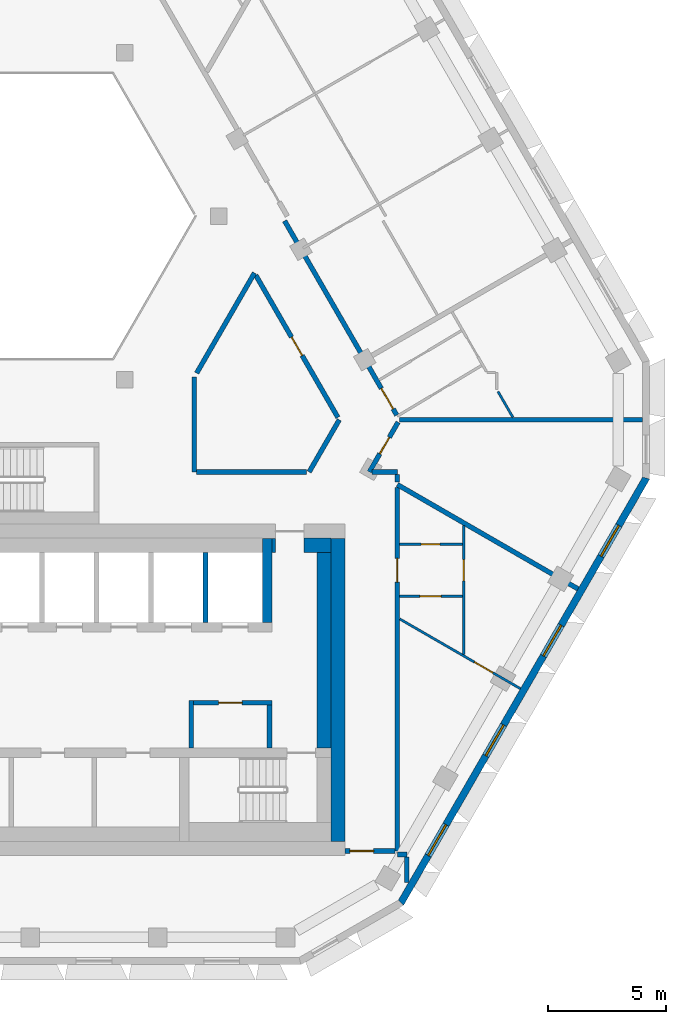
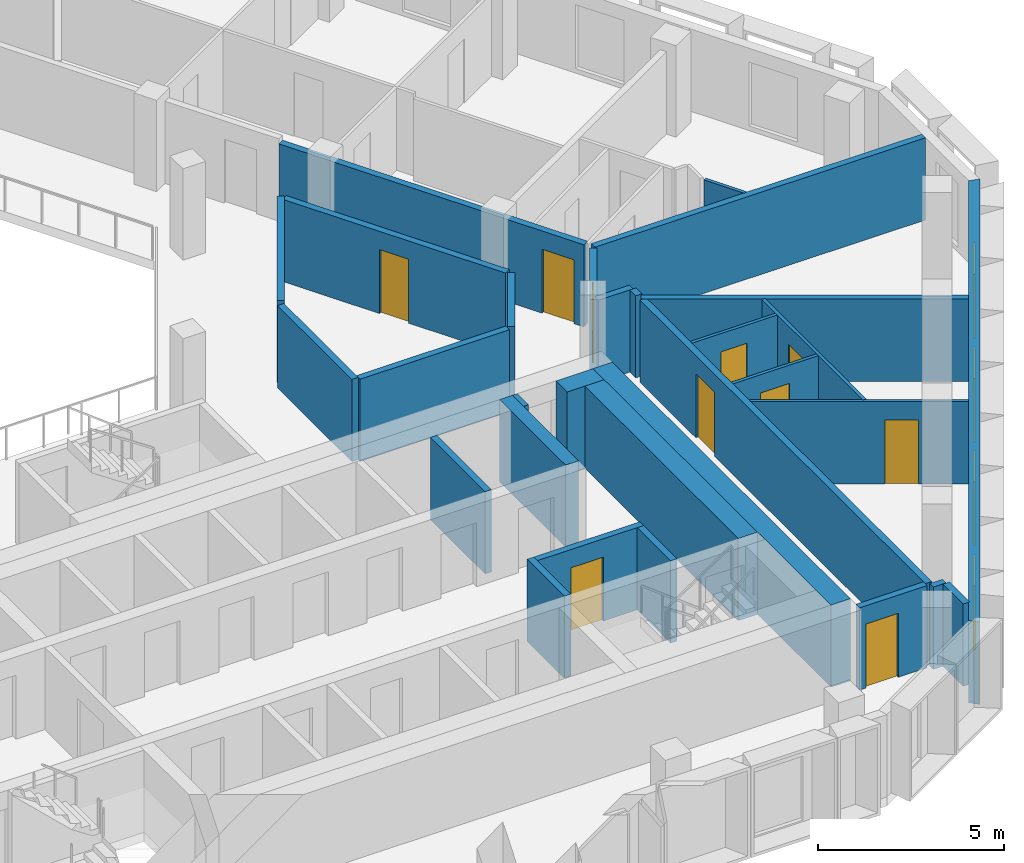
# One storey, part 5 of 15: 30 walls, 10 doors, 4 windows, 14 openings.
"""IFC4 building model written with IfcOpenShell, lengths in metres."""

from ifc_helpers import new_model, si_unit, direction, frame, frame_2d, origin, place, context, subcontext, project, spatial, polyline, rectangle, outline, extrude, material, layer, layer_set, type_object, element, fill, save


model = new_model("IFC4")

# Units and contexts
model_context = context("Model", 3, precision=1e-05, world=origin(), true_north=direction((0.0, 1.0)))
body_context = subcontext(model_context, "Body", "Model", "MODEL_VIEW")
ifc_project = project(units=[si_unit("LENGTHUNIT", "METRE"), si_unit("AREAUNIT", "SQUARE_METRE"), si_unit("VOLUMEUNIT", "CUBIC_METRE"), si_unit("PLANEANGLEUNIT", "RADIAN"), si_unit("MASSUNIT", "GRAM", prefix="KILO")], contexts=[model_context])

# Site, building, storey
site_placement = place(None, origin())
site = spatial("IfcSite", under=ifc_project, at=site_placement, CompositionType="ELEMENT")
building_placement = place(site_placement, origin())
building = spatial("IfcBuilding", under=site, at=building_placement, Name="Beryl Residences", CompositionType="ELEMENT")
storey_placement = place(building_placement, frame((0.0, 0.0, 187.199951171875)))
storey = spatial("IfcBuildingStorey", under=building, at=storey_placement, Name="L57", CompositionType="ELEMENT", Elevation=187.199951171875)

# Wall, openings, windows
ifc_material_1 = material(Name="Composite metal panel with mineral wool insulation")
ifc_layer_1 = layer(ifc_material_1, 0.300048828125)
ifc_layer_set_1 = layer_set([ifc_layer_1], Name="ES1 pale metal composite panel wall 300 mm")
wall_type_1 = type_object("IfcWallType", Name="ES1 pale metal composite panel wall 300 mm", PredefinedType="SOLIDWALL", material=ifc_layer_set_1)
wall_1_placement = place(storey_placement, frame((15.631103515625, -21.02490234375, 0.0), z_axis=(0.0, 0.0, 1.0), x_axis=(0.500018670445, 0.86601462413, 0.0)))
wall_1 = element("IfcWall", 1, at=wall_1_placement, inside=storey, type_object=wall_type_1, Name="ES1 external wall L57 SE", PredefinedType="SOLIDWALL", context=body_context, shape_type="SweptSolid", body=[
    extrude(outline(polyline([(0.0, -0.14990234375), (20.784912109375, -0.14990234375), (20.70458984375, 0.14990234375), (0.080322265625, 0.14990234375), (0.0, -0.14990234375)])), origin(), (0.0, 0.0, 1.0), 2.699951171875),
])
opening_1_placement = place(wall_1_placement, frame((2.345947265625, 0.0, 0.14990234375)))
opening_1 = element("IfcOpeningElement", 2, at=opening_1_placement, cuts=wall_1, Name="Opening W1", PredefinedType="OPENING", context=body_context, shape_type="SweptSolid", body=[
    extrude(rectangle(XDim=1.5, YDim=2.10009765625, at=frame_2d((0.75, 1.050048828125))), frame((0.0, 0.159912109375, 0.0), z_axis=(0.0, -1.0, 0.0), x_axis=(1.0, 0.0, 0.0)), (0.0, 0.0, 1.0), 0.320068359375),
])
opening_2_placement = place(wall_1_placement, frame((7.2099609375, 0.0, 0.14990234375)))
opening_2 = element("IfcOpeningElement", 3, at=opening_2_placement, cuts=wall_1, Name="Opening W1", PredefinedType="OPENING", context=body_context, shape_type="SweptSolid", body=[
    extrude(rectangle(XDim=1.5, YDim=2.10009765625, at=frame_2d((0.75, 1.050048828125))), frame((0.0, 0.159912109375, 0.0), z_axis=(0.0, -1.0, 0.0), x_axis=(1.0, 0.0, 0.0)), (0.0, 0.0, 1.0), 0.320068359375),
])
opening_3_placement = place(wall_1_placement, frame((12.072998046875, 0.0, 0.14990234375)))
opening_3 = element("IfcOpeningElement", 4, at=opening_3_placement, cuts=wall_1, Name="Opening W1", PredefinedType="OPENING", context=body_context, shape_type="SweptSolid", body=[
    extrude(rectangle(XDim=1.5, YDim=2.10009765625, at=frame_2d((0.75, 1.050048828125))), frame((0.0, 0.159912109375, 0.0), z_axis=(0.0, -1.0, 0.0), x_axis=(1.0, 0.0, 0.0)), (0.0, 0.0, 1.0), 0.320068359375),
])
opening_4_placement = place(wall_1_placement, frame((16.93798828125, 0.0, 0.14990234375)))
opening_4 = element("IfcOpeningElement", 5, at=opening_4_placement, cuts=wall_1, Name="Opening W1", PredefinedType="OPENING", context=body_context, shape_type="SweptSolid", body=[
    extrude(rectangle(XDim=1.5, YDim=2.10009765625, at=frame_2d((0.75, 1.050048828125))), frame((0.0, 0.159912109375, 0.0), z_axis=(0.0, -1.0, 0.0), x_axis=(1.0, 0.0, 0.0)), (0.0, 0.0, 1.0), 0.320068359375),
])
ifc_material_2 = material(Name="Aluminium and clear glass", Category="aluminium")
window_type = type_object("IfcWindowType", Name="W1 cell window 1500 x 2100 mm", PartitioningType="SINGLE_PANEL", PredefinedType="WINDOW", material=ifc_material_2)
window_1_placement = place(opening_1_placement, origin())
window_1 = element("IfcWindow", 6, at=window_1_placement, inside=storey, type_object=window_type, Name="W1 window L57 SE 2", OverallHeight=2.10009765625, OverallWidth=1.5, PartitioningType="SINGLE_PANEL", PredefinedType="WINDOW", context=body_context, shape_type="SweptSolid", body=[
    extrude(rectangle(XDim=1.5, YDim=2.10009765625, at=frame_2d((0.75, 1.050048828125))), frame((0.0, 0.030029296875, 0.0), z_axis=(0.0, -1.0, 0.0), x_axis=(1.0, 0.0, 0.0)), (0.0, 0.0, 1.0), 0.06005859375),
])
fill(opening_1, window_1)
window_2_placement = place(opening_2_placement, origin())
window_2 = element("IfcWindow", 7, at=window_2_placement, inside=storey, type_object=window_type, Name="W1 window L57 SE 4", OverallHeight=2.10009765625, OverallWidth=1.5, PartitioningType="SINGLE_PANEL", PredefinedType="WINDOW", context=body_context, shape_type="SweptSolid", body=[
    extrude(rectangle(XDim=1.5, YDim=2.10009765625, at=frame_2d((0.75, 1.050048828125))), frame((0.0, 0.030029296875, 0.0), z_axis=(0.0, -1.0, 0.0), x_axis=(1.0, 0.0, 0.0)), (0.0, 0.0, 1.0), 0.06005859375),
])
fill(opening_2, window_2)
window_3_placement = place(opening_3_placement, origin())
window_3 = element("IfcWindow", 8, at=window_3_placement, inside=storey, type_object=window_type, Name="W1 window L57 SE 6", OverallHeight=2.10009765625, OverallWidth=1.5, PartitioningType="SINGLE_PANEL", PredefinedType="WINDOW", context=body_context, shape_type="SweptSolid", body=[
    extrude(rectangle(XDim=1.5, YDim=2.10009765625, at=frame_2d((0.75, 1.050048828125))), frame((0.0, 0.030029296875, 0.0), z_axis=(0.0, -1.0, 0.0), x_axis=(1.0, 0.0, 0.0)), (0.0, 0.0, 1.0), 0.06005859375),
])
fill(opening_3, window_3)
window_4_placement = place(opening_4_placement, origin())
window_4 = element("IfcWindow", 9, at=window_4_placement, inside=storey, type_object=window_type, Name="W1 window L57 SE 8", OverallHeight=2.10009765625, OverallWidth=1.5, PartitioningType="SINGLE_PANEL", PredefinedType="WINDOW", context=body_context, shape_type="SweptSolid", body=[
    extrude(rectangle(XDim=1.5, YDim=2.10009765625, at=frame_2d((0.75, 1.050048828125))), frame((0.0, 0.030029296875, 0.0), z_axis=(0.0, -1.0, 0.0), x_axis=(1.0, 0.0, 0.0)), (0.0, 0.0, 1.0), 0.06005859375),
])
fill(opening_4, window_4)

# Wall
ifc_material_3 = material(Name="Gypsum board partition on steel studs", Category="steel")
ifc_layer_2 = layer(ifc_material_3, 0.10009765625)
ifc_layer_set_2 = layer_set([ifc_layer_2], Name="PT1 partition 100 mm gypsum board on steel studs")
wall_type_2 = type_object("IfcWallType", Name="PT1 partition 100 mm gypsum board on steel studs", PredefinedType="PARTITIONING", material=ifc_layer_set_2)
wall_2_placement = place(storey_placement, frame((19.75, 0.592041015625, 0.0), z_axis=(0.0, 0.0, 1.0), x_axis=(0.499974077718, -0.866040369504, 0.0)))
element("IfcWall", 10, at=wall_2_placement, inside=storey, type_object=wall_type_2, Name="Wall PT1 L57 005", PredefinedType="PARTITIONING", context=body_context, shape_type="SweptSolid", body=[
    extrude(rectangle(XDim=1.259765625, YDim=0.10009765625, at=frame_2d((0.6298828125, 0.0))), origin(), (0.0, 0.0, 1.0), 2.699951171875),
])

# Wall, opening, door
wall_3_placement = place(storey_placement, frame((15.60009765625, -9.008056640625, 0.0), z_axis=(0.0, 0.0, 1.0), x_axis=(0.866013576751, -0.500020484464, 0.0)))
wall_3 = element("IfcWall", 11, at=wall_3_placement, inside=storey, type_object=wall_type_2, Name="Wall PT1 L57 014", PredefinedType="PARTITIONING", context=body_context, shape_type="SweptSolid", body=[
    extrude(rectangle(XDim=5.885498046875, YDim=0.10009765625, at=frame_2d((2.94287109375, 0.0))), origin(), (0.0, 0.0, 1.0), 2.699951171875),
])
opening_5_placement = place(wall_3_placement, frame((3.639892578125, 0.0, 0.0)))
opening_5 = element("IfcOpeningElement", 12, at=opening_5_placement, cuts=wall_3, Name="Opening D1736", PredefinedType="OPENING", context=body_context, shape_type="SweptSolid", body=[
    extrude(rectangle(XDim=0.89990234375, YDim=2.10009765625, at=frame_2d((0.449951171875, 1.050048828125))), frame((0.0, 0.06005859375, 0.0), z_axis=(0.0, -1.0, 0.0), x_axis=(1.0, 0.0, 0.0)), (0.0, 0.0, 1.0), 0.1201171875),
])
ifc_material_4 = material(Name="Timber door leaf", Category="wood")
door_type_1 = type_object("IfcDoorType", Name="D2 room door 900 x 2100 mm", OperationType="SINGLE_SWING_LEFT", PredefinedType="DOOR", material=ifc_material_4)
door_1_placement = place(opening_5_placement, origin())
door_1 = element("IfcDoor", 13, at=door_1_placement, inside=storey, type_object=door_type_1, Name="Door D1736 L57 001", OperationType="SINGLE_SWING_RIGHT", OverallHeight=2.10009765625, OverallWidth=0.89990234375, PredefinedType="DOOR", context=body_context, shape_type="SweptSolid", body=[
    extrude(rectangle(XDim=0.89990234375, YDim=2.10009765625, at=frame_2d((0.449951171875, 1.050048828125))), frame((0.0, 0.02490234375, 0.0), z_axis=(0.0, -1.0, 0.0), x_axis=(1.0, 0.0, 0.0)), (0.0, 0.0, 1.0), 0.050048828125),
])
fill(opening_5, door_1)

wall_4_placement = place(storey_placement, frame((15.60009765625, -5.85107421875, 0.0), z_axis=(0.0, 0.0, 1.0), x_axis=(1.0, 0.0, 0.0)))
wall_4 = element("IfcWall", 14, at=wall_4_placement, inside=storey, type_object=wall_type_2, Name="Wall PT1 L57 017", PredefinedType="PARTITIONING", context=body_context, shape_type="SweptSolid", body=[
    extrude(rectangle(XDim=2.64990234375, YDim=0.10009765625, at=frame_2d((1.324951171875, 0.0))), origin(), (0.0, 0.0, 1.0), 2.699951171875),
])
opening_6_placement = place(wall_4_placement, frame((0.89990234375, 0.0, 0.0)))
opening_6 = element("IfcOpeningElement", 15, at=opening_6_placement, cuts=wall_4, Name="Opening D1733", PredefinedType="OPENING", context=body_context, shape_type="SweptSolid", body=[
    extrude(rectangle(XDim=0.800048828125, YDim=2.10009765625, at=frame_2d((0.39990234375, 1.050048828125))), frame((0.0, 0.06005859375, 0.0), z_axis=(0.0, -1.0, 0.0), x_axis=(1.0, 0.0, 0.0)), (0.0, 0.0, 1.0), 0.1201171875),
])
ifc_material_5 = material(Name="Timber door leaf", Category="wood")
door_type_2 = type_object("IfcDoorType", Name="D3 bathroom door 800 x 2100 mm", OperationType="SINGLE_SWING_LEFT", PredefinedType="DOOR", material=ifc_material_5)
door_2_placement = place(opening_6_placement, origin())
door_2 = element("IfcDoor", 16, at=door_2_placement, inside=storey, type_object=door_type_2, Name="Door D1733 L57 001", OperationType="SINGLE_SWING_LEFT", OverallHeight=2.10009765625, OverallWidth=0.800048828125, PredefinedType="DOOR", context=body_context, shape_type="SweptSolid", body=[
    extrude(rectangle(XDim=0.800048828125, YDim=2.10009765625, at=frame_2d((0.39990234375, 1.050048828125))), frame((0.0, 0.02490234375, 0.0), z_axis=(0.0, -1.0, 0.0), x_axis=(1.0, 0.0, 0.0)), (0.0, 0.0, 1.0), 0.050048828125),
])
fill(opening_6, door_2)

wall_5_placement = place(storey_placement, frame((15.60009765625, -8.051025390625, 0.0), z_axis=(0.0, 0.0, 1.0), x_axis=(1.0, 0.0, 0.0)))
wall_5 = element("IfcWall", 17, at=wall_5_placement, inside=storey, type_object=wall_type_2, Name="Wall PT1 L57 018", PredefinedType="PARTITIONING", context=body_context, shape_type="SweptSolid", body=[
    extrude(rectangle(XDim=2.64990234375, YDim=0.10009765625, at=frame_2d((1.324951171875, 0.0))), origin(), (0.0, 0.0, 1.0), 2.699951171875),
])
opening_7_placement = place(wall_5_placement, frame((0.85009765625, 0.0, 0.0)))
opening_7 = element("IfcOpeningElement", 18, at=opening_7_placement, cuts=wall_5, Name="Opening D1734", PredefinedType="OPENING", context=body_context, shape_type="SweptSolid", body=[
    extrude(rectangle(XDim=0.89990234375, YDim=2.10009765625, at=frame_2d((0.449951171875, 1.050048828125))), frame((0.0, 0.06005859375, 0.0), z_axis=(0.0, -1.0, 0.0), x_axis=(1.0, 0.0, 0.0)), (0.0, 0.0, 1.0), 0.1201171875),
])
door_3_placement = place(opening_7_placement, origin())
door_3 = element("IfcDoor", 19, at=door_3_placement, inside=storey, type_object=door_type_1, Name="Door D1734 L57 001", OperationType="SINGLE_SWING_RIGHT", OverallHeight=2.10009765625, OverallWidth=0.89990234375, PredefinedType="DOOR", context=body_context, shape_type="SweptSolid", body=[
    extrude(rectangle(XDim=0.89990234375, YDim=2.10009765625, at=frame_2d((0.449951171875, 1.050048828125))), frame((0.0, 0.02490234375, 0.0), z_axis=(0.0, -1.0, 0.0), x_axis=(1.0, 0.0, 0.0)), (0.0, 0.0, 1.0), 0.050048828125),
])
fill(opening_7, door_3)

wall_6_placement = place(storey_placement, frame((18.300048828125, -10.509033203125, 0.0), z_axis=(0.0, 0.0, 1.0), x_axis=(0.0, 1.0, 0.0)))
wall_6 = element("IfcWall", 20, at=wall_6_placement, inside=storey, type_object=wall_type_2, Name="Wall PT1 L57 032", PredefinedType="PARTITIONING", context=body_context, shape_type="SweptSolid", body=[
    extrude(rectangle(XDim=5.443115234375, YDim=0.10009765625, at=frame_2d((2.7216796875, 0.0))), origin(), (0.0, 0.0, 1.0), 2.699951171875),
])
opening_8_placement = place(wall_6_placement, frame((3.10888671875, 0.0, 0.0)))
opening_8 = element("IfcOpeningElement", 21, at=opening_8_placement, cuts=wall_6, Name="Opening D1735", PredefinedType="OPENING", context=body_context, shape_type="SweptSolid", body=[
    extrude(rectangle(XDim=0.89990234375, YDim=2.10009765625, at=frame_2d((0.449951171875, 1.050048828125))), frame((0.0, 0.06005859375, 0.0), z_axis=(0.0, -1.0, 0.0), x_axis=(1.0, 0.0, 0.0)), (0.0, 0.0, 1.0), 0.1201171875),
])
door_4_placement = place(opening_8_placement, origin())
door_4 = element("IfcDoor", 22, at=door_4_placement, inside=storey, type_object=door_type_1, Name="Door D1735 L57 001", OperationType="SINGLE_SWING_LEFT", OverallHeight=2.10009765625, OverallWidth=0.89990234375, PredefinedType="DOOR", context=body_context, shape_type="SweptSolid", body=[
    extrude(rectangle(XDim=0.89990234375, YDim=2.10009765625, at=frame_2d((0.449951171875, 1.050048828125))), frame((0.0, 0.02490234375, 0.0), z_axis=(0.0, -1.0, 0.0), x_axis=(1.0, 0.0, 0.0)), (0.0, 0.0, 1.0), 0.050048828125),
])
fill(opening_8, door_4)

# Wall
ifc_material_6 = material(Name="Concrete masonry", Category="masonry")
ifc_layer_3 = layer(ifc_material_6, 0.199951171875)
ifc_layer_set_3 = layer_set([ifc_layer_3], Name="PT13 lobby wall 200 mm")
wall_type_3 = type_object("IfcWallType", Name="PT13 lobby wall 200 mm", PredefinedType="PARTITIONING", material=ifc_layer_set_3)
wall_7_placement = place(storey_placement, frame((6.800048828125, -14.449951171875, 0.0), z_axis=(0.0, 0.0, 1.0), x_axis=(0.0, 1.0, 0.0)))
element("IfcWall", 23, at=wall_7_placement, inside=storey, type_object=wall_type_3, Name="Lobby wall 24", PredefinedType="PARTITIONING", context=body_context, shape_type="SweptSolid", body=[
    extrude(rectangle(XDim=2.0, YDim=0.199951171875, at=frame_2d((1.0, 0.0))), origin(), (0.0, 0.0, 1.0), 2.699951171875),
])

# Wall, opening, door
wall_8_placement = place(storey_placement, frame((6.89990234375, -12.550048828125, 0.0), z_axis=(0.0, 0.0, 1.0), x_axis=(1.0, 0.0, 0.0)))
wall_8 = element("IfcWall", 24, at=wall_8_placement, inside=storey, type_object=wall_type_3, Name="Lobby wall 25", PredefinedType="PARTITIONING", context=body_context, shape_type="SweptSolid", body=[
    extrude(rectangle(XDim=3.300048828125, YDim=0.199951171875, at=frame_2d((1.64990234375, 0.0))), origin(), (0.0, 0.0, 1.0), 2.699951171875),
])
opening_9_placement = place(wall_8_placement, frame((2.050048828125, 0.0, 0.0), z_axis=(0.0, 0.0, 1.0), x_axis=(-1.0, 0.0, 0.0)))
opening_9 = element("IfcOpeningElement", 25, at=opening_9_placement, cuts=wall_8, Name="Opening CD-D-A1", PredefinedType="OPENING", context=body_context, shape_type="SweptSolid", body=[
    extrude(rectangle(XDim=1.0, YDim=2.10009765625, at=frame_2d((0.5, 1.050048828125))), frame((0.0, 0.10986328125, 0.0), z_axis=(0.0, -1.0, 0.0), x_axis=(1.0, 0.0, 0.0)), (0.0, 0.0, 1.0), 0.219970703125),
])
ifc_material_7 = material(Name="Steel door leaf in steel frame", Category="steel")
door_type_3 = type_object("IfcDoorType", Name="D18 service room door 1000 x 2100 mm", OperationType="SINGLE_SWING_LEFT", PredefinedType="DOOR", material=ifc_material_7)
door_5_placement = place(opening_9_placement, origin())
door_5 = element("IfcDoor", 26, at=door_5_placement, inside=storey, type_object=door_type_3, Name="Door CD-D-A1 L57 001", OperationType="SINGLE_SWING_RIGHT", OverallHeight=2.10009765625, OverallWidth=1.0, PredefinedType="DOOR", context=body_context, shape_type="SweptSolid", body=[
    extrude(rectangle(XDim=1.0, YDim=2.10009765625, at=frame_2d((0.5, 1.050048828125))), frame((0.0, 0.02490234375, 0.0), z_axis=(0.0, -1.0, 0.0), x_axis=(1.0, 0.0, 0.0)), (0.0, 0.0, 1.0), 0.050048828125),
])
fill(opening_9, door_5)

# Walls
wall_9_placement = place(storey_placement, frame((10.10009765625, -14.449951171875, 0.0), z_axis=(0.0, 0.0, 1.0), x_axis=(0.0, 1.0, 0.0)))
element("IfcWall", 27, at=wall_9_placement, inside=storey, type_object=wall_type_3, Name="Lobby wall 27", PredefinedType="PARTITIONING", context=body_context, shape_type="SweptSolid", body=[
    extrude(rectangle(XDim=1.800048828125, YDim=0.199951171875, at=frame_2d((0.89990234375, 0.0))), origin(), (0.0, 0.0, 1.0), 2.699951171875),
])
ifc_material_8 = material(Name="Concrete masonry", Category="masonry")
ifc_layer_4 = layer(ifc_material_8, 0.14990234375)
ifc_layer_set_4 = layer_set([ifc_layer_4], Name="PT13-150 lobby wall 150 mm")
wall_type_4 = type_object("IfcWallType", Name="PT13-150 lobby wall 150 mm", PredefinedType="PARTITIONING", material=ifc_layer_set_4)
wall_10_placement = place(storey_placement, frame((10.27490234375, -6.199951171875, 0.0), z_axis=(0.0, 0.0, 1.0), x_axis=(0.0, 1.0, 0.0)))
element("IfcWall", 28, at=wall_10_placement, inside=storey, type_object=wall_type_4, Name="Lobby wall 28", PredefinedType="PARTITIONING", context=body_context, shape_type="SweptSolid", body=[
    extrude(rectangle(XDim=0.599853515625, YDim=0.14990234375, at=frame_2d((0.2998046875, 0.0))), origin(), (0.0, 0.0, 1.0), 2.699951171875),
])
ifc_material_9 = material(Name="Concrete masonry", Category="masonry")
ifc_layer_5 = layer(ifc_material_9, 0.60009765625)
ifc_layer_set_5 = layer_set([ifc_layer_5], Name="PT13-600 lobby wall 600 mm")
wall_type_5 = type_object("IfcWallType", Name="PT13-600 lobby wall 600 mm", PredefinedType="PARTITIONING", material=ifc_layer_set_5)
wall_11_placement = place(storey_placement, frame((11.550048828125, -5.89990234375, 0.0), z_axis=(0.0, 0.0, 1.0), x_axis=(1.0, 0.0, 0.0)))
element("IfcWall", 29, at=wall_11_placement, inside=storey, type_object=wall_type_5, Name="Lobby wall 29", PredefinedType="PARTITIONING", context=body_context, shape_type="SweptSolid", body=[
    extrude(rectangle(XDim=1.14990234375, YDim=0.60009765625, at=frame_2d((0.574951171875, 0.0))), origin(), (0.0, 0.0, 1.0), 2.699951171875),
])
wall_12_placement = place(storey_placement, frame((12.39990234375, -14.449951171875, 0.0), z_axis=(0.0, 0.0, 1.0), x_axis=(0.0, 1.0, 0.0)))
element("IfcWall", 30, at=wall_12_placement, inside=storey, type_object=wall_type_5, Name="Lobby wall 31", PredefinedType="PARTITIONING", context=body_context, shape_type="SweptSolid", body=[
    extrude(rectangle(XDim=8.25, YDim=0.60009765625, at=frame_2d((4.125, 0.0))), origin(), (0.0, 0.0, 1.0), 2.699951171875),
])
ifc_material_10 = material(Name="Acoustic double stud gypsum board wall")
ifc_layer_6 = layer(ifc_material_10, 0.199951171875)
ifc_layer_set_6 = layer_set([ifc_layer_6], Name="PT3 party wall 200 mm acoustic double stud")
wall_type_6 = type_object("IfcWallType", Name="PT3 party wall 200 mm acoustic double stud", PredefinedType="PARTITIONING", material=ifc_layer_set_6)
wall_13_placement = place(storey_placement, frame((15.89990234375, -19.051025390625, 0.0), z_axis=(0.0, 0.0, 1.0), x_axis=(0.0, -1.0, 0.0)))
element("IfcWall", 31, at=wall_13_placement, inside=storey, type_object=wall_type_6, Name="Wall PT3 L57 002", PredefinedType="PARTITIONING", context=body_context, shape_type="SweptSolid", body=[
    extrude(rectangle(XDim=1.0869140625, YDim=0.199951171875, at=frame_2d((0.54345703125, 0.0))), origin(), (0.0, 0.0, 1.0), 2.699951171875),
])
wall_14_placement = place(storey_placement, frame((15.5, -3.333984375, 0.0), z_axis=(0.0, 0.0, 1.0), x_axis=(0.866001896501, -0.5000407136, 0.0)))
element("IfcWall", 32, at=wall_14_placement, inside=storey, type_object=wall_type_6, Name="Wall PT3 L57 004", PredefinedType="PARTITIONING", context=body_context, shape_type="SweptSolid", body=[
    extrude(rectangle(XDim=8.809326171875, YDim=0.199951171875, at=frame_2d((4.40478515625, 0.0))), origin(), (0.0, 0.0, 1.0), 2.699951171875),
])
wall_15_placement = place(storey_placement, frame((15.587890625, -0.59912109375, 0.0), z_axis=(0.0, 0.0, 1.0), x_axis=(1.0, 0.0, 0.0)))
element("IfcWall", 33, at=wall_15_placement, inside=storey, type_object=wall_type_6, Name="Wall PT3 L57 006", PredefinedType="PARTITIONING", context=body_context, shape_type="SweptSolid", body=[
    extrude(rectangle(XDim=10.26611328125, YDim=0.199951171875, at=frame_2d((5.133056640625, 0.0))), origin(), (0.0, 0.0, 1.0), 2.699951171875),
])
wall_16_placement = place(storey_placement, frame((15.4990234375, -18.949951171875, 0.0), z_axis=(0.0, 0.0, 1.0), x_axis=(1.0, 0.0, 0.0)))
element("IfcWall", 34, at=wall_16_placement, inside=storey, type_object=wall_type_6, Name="Wall PT3 L57 013", PredefinedType="PARTITIONING", context=body_context, shape_type="SweptSolid", body=[
    extrude(rectangle(XDim=0.39990234375, YDim=0.199951171875, at=frame_2d((0.199951171875, 0.0))), origin(), (0.0, 0.0, 1.0), 2.699951171875),
])

# Wall, opening, door
ifc_material_11 = material(Name="Double stud gypsum board wall")
ifc_layer_7 = layer(ifc_material_11, 0.199951171875)
ifc_layer_set_7 = layer_set([ifc_layer_7], Name="PT4 corridor wall 200 mm double stud")
wall_type_7 = type_object("IfcWallType", Name="PT4 corridor wall 200 mm double stud", PredefinedType="PARTITIONING", material=ifc_layer_set_7)
wall_17_placement = place(storey_placement, frame((9.52587890625, 5.5, 0.0), z_axis=(0.0, 0.0, 1.0), x_axis=(0.500062092869, -0.865989551482, 0.0)))
wall_17 = element("IfcWall", 35, at=wall_17_placement, inside=storey, type_object=wall_type_7, Name="Wall PT4 L57 004", PredefinedType="PARTITIONING", context=body_context, shape_type="SweptSolid", body=[
    extrude(rectangle(XDim=6.92724609375, YDim=0.199951171875, at=frame_2d((3.463623046875, 0.0))), origin(), (0.0, 0.0, 1.0), 2.699951171875),
])
opening_10_placement = place(wall_17_placement, frame((3.013916015625, 0.0, 0.0)))
opening_10 = element("IfcOpeningElement", 36, at=opening_10_placement, cuts=wall_17, Name="Opening D1743", PredefinedType="OPENING", context=body_context, shape_type="SweptSolid", body=[
    extrude(rectangle(XDim=0.89990234375, YDim=2.10009765625, at=frame_2d((0.449951171875, 1.050048828125))), frame((0.0, 0.10986328125, 0.0), z_axis=(0.0, -1.0, 0.0), x_axis=(1.0, 0.0, 0.0)), (0.0, 0.0, 1.0), 0.219970703125),
])
door_6_placement = place(opening_10_placement, origin())
door_6 = element("IfcDoor", 37, at=door_6_placement, inside=storey, type_object=door_type_1, Name="Door D1743 L57 001", OperationType="SINGLE_SWING_LEFT", OverallHeight=2.10009765625, OverallWidth=0.89990234375, PredefinedType="DOOR", context=body_context, shape_type="SweptSolid", body=[
    extrude(rectangle(XDim=0.89990234375, YDim=2.10009765625, at=frame_2d((0.449951171875, 1.050048828125))), frame((0.0, 0.02490234375, 0.0), z_axis=(0.0, -1.0, 0.0), x_axis=(1.0, 0.0, 0.0)), (0.0, 0.0, 1.0), 0.050048828125),
])
fill(opening_10, door_6)

wall_18_placement = place(storey_placement, frame((10.739013671875, 7.800048828125, 0.0), z_axis=(0.0, 0.0, 1.0), x_axis=(0.500023726918, -0.866011704609, 0.0)))
wall_18 = element("IfcWall", 38, at=wall_18_placement, inside=storey, type_object=wall_type_7, Name="Wall PT4 L57 005", PredefinedType="PARTITIONING", context=body_context, shape_type="SweptSolid", body=[
    extrude(rectangle(XDim=9.4697265625, YDim=0.199951171875, at=frame_2d((4.73486328125, 0.0))), origin(), (0.0, 0.0, 1.0), 2.699951171875),
])
opening_11_placement = place(wall_18_placement, frame((8.16796875, 0.0, 0.0)))
opening_11 = element("IfcOpeningElement", 39, at=opening_11_placement, cuts=wall_18, Name="Opening D1738", PredefinedType="OPENING", context=body_context, shape_type="SweptSolid", body=[
    extrude(rectangle(XDim=1.0, YDim=2.10009765625, at=frame_2d((0.5, 1.050048828125))), frame((0.0, 0.10986328125, 0.0), z_axis=(0.0, -1.0, 0.0), x_axis=(1.0, 0.0, 0.0)), (0.0, 0.0, 1.0), 0.219970703125),
])
ifc_material_12 = material(Name="Timber door leaf", Category="wood")
door_type_4 = type_object("IfcDoorType", Name="D1 flat entrance door 1000 x 2100 mm", OperationType="SINGLE_SWING_LEFT", PredefinedType="DOOR", material=ifc_material_12)
door_7_placement = place(opening_11_placement, origin())
door_7 = element("IfcDoor", 40, at=door_7_placement, inside=storey, type_object=door_type_4, Name="Door D1738 L57 001", OperationType="SINGLE_SWING_RIGHT", OverallHeight=2.10009765625, OverallWidth=1.0, PredefinedType="DOOR", context=body_context, shape_type="SweptSolid", body=[
    extrude(rectangle(XDim=1.0, YDim=2.10009765625, at=frame_2d((0.5, 1.050048828125))), frame((0.0, 0.02490234375, 0.0), z_axis=(0.0, -1.0, 0.0), x_axis=(1.0, 0.0, 0.0)), (0.0, 0.0, 1.0), 0.050048828125),
])
fill(opening_11, door_7)

# Wall
wall_19_placement = place(storey_placement, frame((15.5, -2.90087890625, 0.0), z_axis=(0.0, 0.0, 1.0), x_axis=(0.0, -1.0, 0.0)))
element("IfcWall", 41, at=wall_19_placement, inside=storey, type_object=wall_type_7, Name="Wall PT4 L57 007", PredefinedType="PARTITIONING", context=body_context, shape_type="SweptSolid", body=[
    extrude(rectangle(XDim=0.318115234375, YDim=0.199951171875, at=frame_2d((0.1591796875, 0.0))), origin(), (0.0, 0.0, 1.0), 2.699951171875),
])

# Wall, opening, door
wall_20_placement = place(storey_placement, frame((13.300048828125, -18.800048828125, 0.0), z_axis=(0.0, 0.0, 1.0), x_axis=(1.0, 0.0, 0.0)))
wall_20 = element("IfcWall", 42, at=wall_20_placement, inside=storey, type_object=wall_type_7, Name="Wall PT4 L57 009", PredefinedType="PARTITIONING", context=body_context, shape_type="SweptSolid", body=[
    extrude(rectangle(XDim=2.098876953125, YDim=0.199951171875, at=frame_2d((1.04931640625, 0.0))), origin(), (0.0, 0.0, 1.0), 2.699951171875),
])
opening_12_placement = place(wall_20_placement, frame((0.199951171875, 0.0, 0.0)))
opening_12 = element("IfcOpeningElement", 43, at=opening_12_placement, cuts=wall_20, Name="Opening D1744", PredefinedType="OPENING", context=body_context, shape_type="SweptSolid", body=[
    extrude(rectangle(XDim=1.0, YDim=2.10009765625, at=frame_2d((0.5, 1.050048828125))), frame((0.0, 0.10986328125, 0.0), z_axis=(0.0, -1.0, 0.0), x_axis=(1.0, 0.0, 0.0)), (0.0, 0.0, 1.0), 0.219970703125),
])
door_8_placement = place(opening_12_placement, origin())
door_8 = element("IfcDoor", 44, at=door_8_placement, inside=storey, type_object=door_type_4, Name="Door D1744 L57 001", OperationType="SINGLE_SWING_LEFT", OverallHeight=2.10009765625, OverallWidth=1.0, PredefinedType="DOOR", context=body_context, shape_type="SweptSolid", body=[
    extrude(rectangle(XDim=1.0, YDim=2.10009765625, at=frame_2d((0.5, 1.050048828125))), frame((0.0, 0.02490234375, 0.0), z_axis=(0.0, -1.0, 0.0), x_axis=(1.0, 0.0, 0.0)), (0.0, 0.0, 1.0), 0.050048828125),
])
fill(opening_12, door_8)

# Walls
wall_21_placement = place(storey_placement, frame((7.028076171875, -2.800048828125, 0.0), z_axis=(0.0, 0.0, 1.0), x_axis=(1.0, 0.0, 0.0)))
element("IfcWall", 45, at=wall_21_placement, inside=storey, type_object=wall_type_7, Name="Wall PT4 L57 012", PredefinedType="PARTITIONING", context=body_context, shape_type="SweptSolid", body=[
    extrude(rectangle(XDim=4.634033203125, YDim=0.199951171875, at=frame_2d((2.31689453125, 0.0))), origin(), (0.0, 0.0, 1.0), 2.699951171875),
])
wall_22_placement = place(storey_placement, frame((14.43310546875, -2.800048828125, 0.0), z_axis=(0.0, 0.0, 1.0), x_axis=(1.0, 0.0, 0.0)))
element("IfcWall", 46, at=wall_22_placement, inside=storey, type_object=wall_type_7, Name="Wall PT4 L57 013", PredefinedType="PARTITIONING", context=body_context, shape_type="SweptSolid", body=[
    extrude(rectangle(XDim=1.06591796875, YDim=0.199951171875, at=frame_2d((0.532958984375, 0.0))), origin(), (0.0, 0.0, 1.0), 2.699951171875),
])
wall_23_placement = place(storey_placement, frame((7.028076171875, 1.373046875, 0.0), z_axis=(0.0, 0.0, 1.0), x_axis=(0.500065924398, 0.86598733897, 0.0)))
element("IfcWall", 47, at=wall_23_placement, inside=storey, type_object=wall_type_7, Name="Wall PT4 L57 015", PredefinedType="PARTITIONING", context=body_context, shape_type="SweptSolid", body=[
    extrude(rectangle(XDim=4.881103515625, YDim=0.199951171875, at=frame_2d((2.4404296875, 0.0))), origin(), (0.0, 0.0, 1.0), 2.699951171875),
])
wall_24_placement = place(storey_placement, frame((11.777099609375, -2.800048828125, 0.0), z_axis=(0.0, 0.0, 1.0), x_axis=(0.500085537782, 0.86597601289, 0.0)))
element("IfcWall", 48, at=wall_24_placement, inside=storey, type_object=wall_type_7, Name="Wall PT4 L57 016", PredefinedType="PARTITIONING", context=body_context, shape_type="SweptSolid", body=[
    extrude(rectangle(XDim=2.54150390625, YDim=0.199951171875, at=frame_2d((1.270751953125, 0.0))), origin(), (0.0, 0.0, 1.0), 2.699951171875),
])

# Wall, opening, door
wall_25_placement = place(storey_placement, frame((14.318115234375, -2.800048828125, 0.0), z_axis=(0.0, 0.0, 1.0), x_axis=(0.49964693309, 0.866229151122, 0.0)))
wall_25 = element("IfcWall", 49, at=wall_25_placement, inside=storey, type_object=wall_type_7, Name="Wall PT4 L57 017", PredefinedType="PARTITIONING", context=body_context, shape_type="SweptSolid", body=[
    extrude(rectangle(XDim=2.425537109375, YDim=0.199951171875, at=frame_2d((1.212890625, 0.0))), origin(), (0.0, 0.0, 1.0), 2.699951171875),
])
opening_13_placement = place(wall_25_placement, frame((0.885986328125, 0.0, 0.0)))
opening_13 = element("IfcOpeningElement", 50, at=opening_13_placement, cuts=wall_25, Name="Opening D1737", PredefinedType="OPENING", context=body_context, shape_type="SweptSolid", body=[
    extrude(rectangle(XDim=0.800048828125, YDim=2.10009765625, at=frame_2d((0.39990234375, 1.050048828125))), frame((0.0, 0.10986328125, 0.0), z_axis=(0.0, -1.0, 0.0), x_axis=(1.0, 0.0, 0.0)), (0.0, 0.0, 1.0), 0.219970703125),
])
door_9_placement = place(opening_13_placement, origin())
door_9 = element("IfcDoor", 51, at=door_9_placement, inside=storey, type_object=door_type_2, Name="Door D1737 L57 001", OperationType="SINGLE_SWING_LEFT", OverallHeight=2.10009765625, OverallWidth=0.800048828125, PredefinedType="DOOR", context=body_context, shape_type="SweptSolid", body=[
    extrude(rectangle(XDim=0.800048828125, YDim=2.10009765625, at=frame_2d((0.39990234375, 1.050048828125))), frame((0.0, 0.02490234375, 0.0), z_axis=(0.0, -1.0, 0.0), x_axis=(1.0, 0.0, 0.0)), (0.0, 0.0, 1.0), 0.050048828125),
])
fill(opening_13, door_9)

# Wall
wall_26_placement = place(storey_placement, frame((6.927978515625, -2.800048828125, 0.0), z_axis=(0.0, 0.0, 1.0), x_axis=(0.0, 1.0, 0.0)))
element("IfcWall", 52, at=wall_26_placement, inside=storey, type_object=wall_type_7, Name="Wall PT4 L57 021", PredefinedType="PARTITIONING", context=body_context, shape_type="SweptSolid", body=[
    extrude(rectangle(XDim=4.0, YDim=0.199951171875, at=frame_2d((2.0, 0.0))), origin(), (0.0, 0.0, 1.0), 2.699951171875),
])

# Wall, opening, door
wall_27_placement = place(storey_placement, frame((15.5, -18.799072265625, 0.0), z_axis=(0.0, 0.0, 1.0), x_axis=(0.0, 1.0, 0.0)))
wall_27 = element("IfcWall", 53, at=wall_27_placement, inside=storey, type_object=wall_type_7, Name="Wall PT4 L57 022", PredefinedType="PARTITIONING", context=body_context, shape_type="SweptSolid", body=[
    extrude(rectangle(XDim=15.34912109375, YDim=0.199951171875, at=frame_2d((7.674560546875, 0.0))), origin(), (0.0, 0.0, 1.0), 2.699951171875),
])
opening_14_placement = place(wall_27_placement, frame((11.347900390625, 0.0, 0.0)))
opening_14 = element("IfcOpeningElement", 54, at=opening_14_placement, cuts=wall_27, Name="Opening D1732", PredefinedType="OPENING", context=body_context, shape_type="SweptSolid", body=[
    extrude(rectangle(XDim=1.0, YDim=2.10009765625, at=frame_2d((0.5, 1.050048828125))), frame((0.0, 0.10986328125, 0.0), z_axis=(0.0, -1.0, 0.0), x_axis=(1.0, 0.0, 0.0)), (0.0, 0.0, 1.0), 0.219970703125),
])
door_10_placement = place(opening_14_placement, origin())
door_10 = element("IfcDoor", 55, at=door_10_placement, inside=storey, type_object=door_type_4, Name="Door D1732 L57 001", OperationType="SINGLE_SWING_RIGHT", OverallHeight=2.10009765625, OverallWidth=1.0, PredefinedType="DOOR", context=body_context, shape_type="SweptSolid", body=[
    extrude(rectangle(XDim=1.0, YDim=2.10009765625, at=frame_2d((0.5, 1.050048828125))), frame((0.0, 0.02490234375, 0.0), z_axis=(0.0, -1.0, 0.0), x_axis=(1.0, 0.0, 0.0)), (0.0, 0.0, 1.0), 0.050048828125),
])
fill(opening_14, door_10)

# Walls
ifc_material_13 = material(Name="Concrete C40/50", Category="concrete")
ifc_layer_8 = layer(ifc_material_13, 0.199951171875)
ifc_layer_set_8 = layer_set([ifc_layer_8], Name="PT6 lift shaft wall 200 mm reinforced concrete C40/50")
wall_type_8 = type_object("IfcWallType", Name="PT6 lift shaft wall 200 mm reinforced concrete C40/50", PredefinedType="SOLIDWALL", material=ifc_layer_set_8)
wall_28_placement = place(storey_placement, frame((7.39990234375, -9.14990234375, 0.0), z_axis=(0.0, 0.0, 1.0), x_axis=(0.0, 1.0, 0.0)))
element("IfcWall", 56, at=wall_28_placement, inside=storey, type_object=wall_type_8, Name="Lift shaft wall 26", PredefinedType="SOLIDWALL", context=body_context, shape_type="SweptSolid", body=[
    extrude(rectangle(XDim=2.949951171875, YDim=0.199951171875, at=frame_2d((1.47509765625, 0.0))), origin(), (0.0, 0.0, 1.0), 2.699951171875),
])
ifc_material_14 = material(Name="Concrete C50/60", Category="concrete")
ifc_layer_9 = layer(ifc_material_14, 0.60009765625)
ifc_layer_set_9 = layer_set([ifc_layer_9], Name="SW4 core outer wall 600 mm C50/60")
wall_type_9 = type_object("IfcWallType", Name="SW4 core outer wall 600 mm C50/60", PredefinedType="SHEAR", material=ifc_layer_set_9)
wall_29_placement = place(storey_placement, frame((13.0, -18.39990234375, 0.0), z_axis=(0.0, 0.0, 1.0), x_axis=(0.0, 1.0, 0.0)))
element("IfcWall", 57, at=wall_29_placement, inside=storey, type_object=wall_type_9, Name="Core wall E L57", PredefinedType="SHEAR", context=body_context, shape_type="SweptSolid", body=[
    extrude(rectangle(XDim=12.7998046875, YDim=0.60009765625, at=frame_2d((6.39990234375, 0.0))), origin(), (0.0, 0.0, 1.0), 2.699951171875),
])
ifc_material_15 = material(Name="Concrete C50/60", Category="concrete")
ifc_layer_10 = layer(ifc_material_15, 0.39990234375)
ifc_layer_set_10 = layer_set([ifc_layer_10], Name="SW9 core internal wall 400 mm C50/60")
wall_type_10 = type_object("IfcWallType", Name="SW9 core internal wall 400 mm C50/60", PredefinedType="SHEAR", material=ifc_layer_set_10)
wall_30_placement = place(storey_placement, frame((10.0, -9.14990234375, 0.0), z_axis=(0.0, 0.0, 1.0), x_axis=(0.0, 1.0, 0.0)))
element("IfcWall", 58, at=wall_30_placement, inside=storey, type_object=wall_type_10, Name="Core wall XN2 L57", PredefinedType="SHEAR", context=body_context, shape_type="SweptSolid", body=[
    extrude(rectangle(XDim=3.5498046875, YDim=0.39990234375, at=frame_2d((1.77490234375, 0.0))), origin(), (0.0, 0.0, 1.0), 2.699951171875),
])

save(model, "model.ifc")
